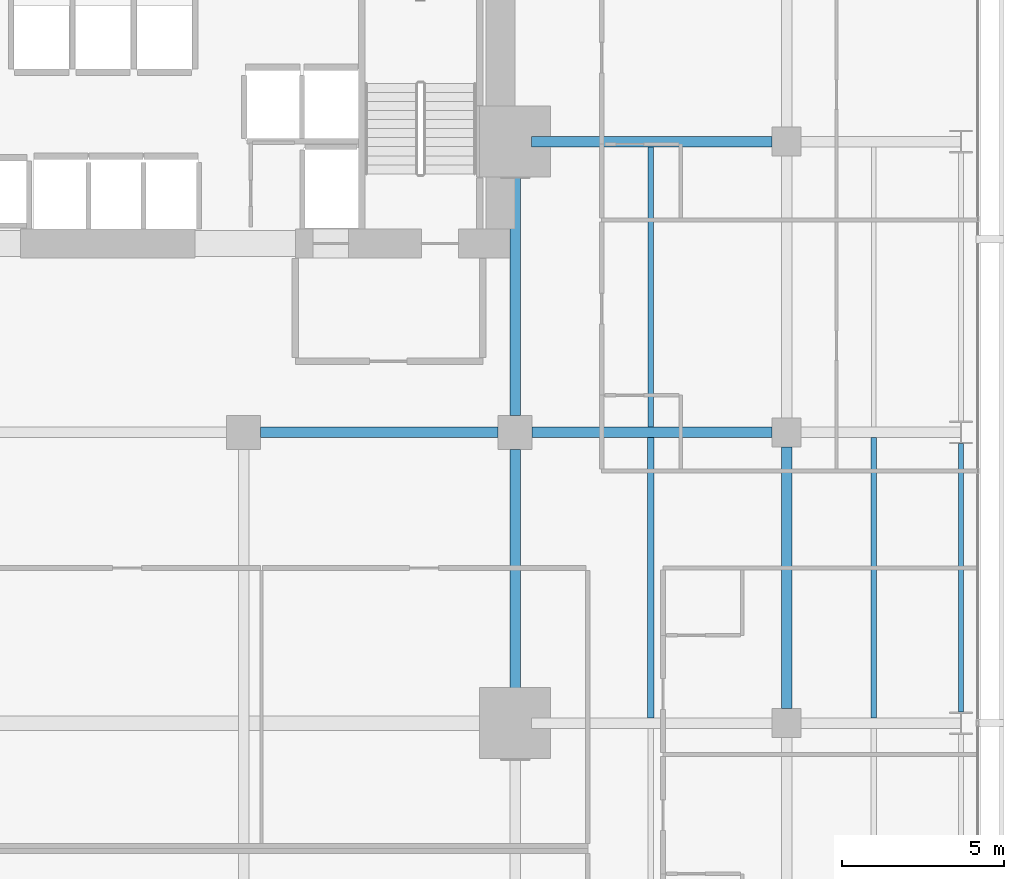
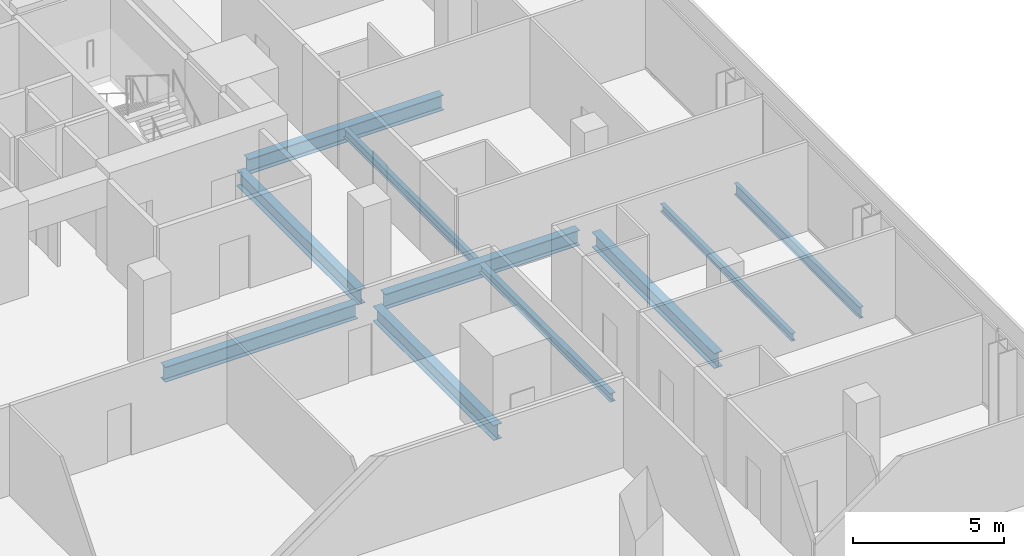
# One storey, part 27 of 40: 10 beams.
"""IFC4 building model written with IfcOpenShell, lengths in metres."""

from ifc_helpers import new_model, si_unit, direction, frame, origin, origin_2d, place, context, subcontext, project, spatial, i_section, extrude, material, material_profile, profile_set, type_object, element, save


model = new_model("IFC4")

# Units and contexts
model_context = context("Model", 3, precision=1e-05, world=origin(), true_north=direction((0.0, 1.0)))
body_context = subcontext(model_context, "Body", "Model", "MODEL_VIEW")
ifc_project = project(units=[si_unit("LENGTHUNIT", "METRE"), si_unit("AREAUNIT", "SQUARE_METRE"), si_unit("VOLUMEUNIT", "CUBIC_METRE"), si_unit("PLANEANGLEUNIT", "RADIAN"), si_unit("MASSUNIT", "GRAM", prefix="KILO")], contexts=[model_context])

# Site, building, storey
site_placement = place(None, origin())
site = spatial("IfcSite", under=ifc_project, at=site_placement, CompositionType="ELEMENT")
building_placement = place(site_placement, origin())
building = spatial("IfcBuilding", under=site, at=building_placement, Name="Maruvema Waterfront Hotel and Observation Tower", CompositionType="ELEMENT")
storey_placement = place(building_placement, frame((0.0, 0.0, 92.39990234375)))
storey = spatial("IfcBuildingStorey", under=building, at=storey_placement, Name="L22", CompositionType="ELEMENT", Elevation=92.39990234375)

# Beams
ifc_material_1 = material(Name="Steel ASTM A572 Grade 50", Category="steel")
ifc_material_profile_1 = material_profile(ifc_material_1, i_section(OverallWidth=0.153076171875, OverallDepth=0.455078125, WebThickness=0.008056640625, FlangeThickness=0.01318359375, FilletRadius=0.014892578125, at=origin_2d()), Name="W460x60.0")
ifc_profile_set_1 = profile_set([ifc_material_profile_1], Name="Steel ASTM A572 Grade 50")
beam_type_1 = type_object("IfcBeamType", Name="Perimeter Spandrel Beam W460x60.0", PredefinedType="SPANDREL", material=ifc_profile_set_1)
beam_1_placement = place(storey_placement, frame((64.199951171875, 27.35009765625, -0.46728515625), z_axis=(0.0, 1.0, 0.0), x_axis=(-1.0, 0.0, 0.0)))
element("IfcBeam", 1, at=beam_1_placement, inside=storey, type_object=beam_type_1, Name="L22 Floor Girder NS-35", PredefinedType="SPANDREL", context=body_context, shape_type="SweptSolid", body=[
    extrude(i_section(OverallWidth=0.153076171875, OverallDepth=0.455078125, WebThickness=0.008056640625, FlangeThickness=0.01318359375, FilletRadius=0.014892578125, at=origin_2d()), origin(), (0.0, 0.0, 1.0), 8.2998046875),
])
ifc_material_2 = material(Name="Steel ASTM A572 Grade 50", Category="steel")
ifc_material_profile_2 = material_profile(ifc_material_2, i_section(OverallWidth=0.323974609375, OverallDepth=0.611083984375, WebThickness=0.0126953125, FlangeThickness=0.01904296875, FilletRadius=0.01806640625, at=origin_2d()), Name="W610x155.0")
ifc_profile_set_2 = profile_set([ifc_material_profile_2], Name="Steel ASTM A572 Grade 50")
beam_type_2 = type_object("IfcBeamType", Name="Primary Floor Girder W610x155.0", PredefinedType="BEAM", material=ifc_profile_set_2)
beam_2_placement = place(storey_placement, frame((42.52490234375, 36.0, -0.54541015625), z_axis=(1.0, 0.0, 0.0), x_axis=(0.0, 1.0, 0.0)))
element("IfcBeam", 2, at=beam_2_placement, inside=storey, type_object=beam_type_2, Name="L22 Floor Girder EW-29", PredefinedType="BEAM", context=body_context, shape_type="SweptSolid", body=[
    extrude(i_section(OverallWidth=0.323974609375, OverallDepth=0.611083984375, WebThickness=0.0126953125, FlangeThickness=0.01904296875, FilletRadius=0.01806640625, at=origin_2d()), origin(), (0.0, 0.0, 1.0), 7.35009765625),
])
beam_3_placement = place(storey_placement, frame((50.925048828125, 36.0, -0.54541015625), z_axis=(1.0, 0.0, 0.0), x_axis=(0.0, 1.0, 0.0)))
element("IfcBeam", 3, at=beam_3_placement, inside=storey, type_object=beam_type_2, Name="L22 Floor Girder EW-30", PredefinedType="BEAM", context=body_context, shape_type="SweptSolid", body=[
    extrude(i_section(OverallWidth=0.323974609375, OverallDepth=0.611083984375, WebThickness=0.0126953125, FlangeThickness=0.01904296875, FilletRadius=0.01806640625, at=origin_2d()), origin(), (0.0, 0.0, 1.0), 7.425048828125),
])
beam_4_placement = place(storey_placement, frame((50.89990234375, 45.0, -0.54541015625), z_axis=(1.0, 0.0, 0.0), x_axis=(0.0, 1.0, 0.0)))
element("IfcBeam", 4, at=beam_4_placement, inside=storey, type_object=beam_type_2, Name="L22 Floor Girder EW-34", PredefinedType="BEAM", context=body_context, shape_type="SweptSolid", body=[
    extrude(i_section(OverallWidth=0.323974609375, OverallDepth=0.611083984375, WebThickness=0.0126953125, FlangeThickness=0.01904296875, FilletRadius=0.01806640625, at=origin_2d()), origin(), (0.0, 0.0, 1.0), 7.4501953125),
])
for number, where, z_axis, x_axis, name in (
    (5, (50.39990234375, 27.5, -0.54541015625), (0.0, 1.0, 0.0), (-1.0, 0.0, 0.0), "L22 Floor Girder NS-25"),
    (6, (50.39990234375, 36.52490234375, -0.54541015625), (0.0, 1.0, 0.0), (-1.0, 0.0, 0.0), "L22 Floor Girder NS-26"),
):
    element("IfcBeam", number, at=place(storey_placement, frame(where, z_axis=z_axis, x_axis=x_axis)), inside=storey, type_object=beam_type_2, Name=name, PredefinedType="BEAM", context=body_context, shape_type="SweptSolid", body=[
        extrude(i_section(OverallWidth=0.323974609375, OverallDepth=0.611083984375, WebThickness=0.0126953125, FlangeThickness=0.01904296875, FilletRadius=0.01806640625, at=origin_2d()), origin(), (0.0, 0.0, 1.0), 7.97509765625),
    ])
beam_5_placement = place(storey_placement, frame((58.800048828125, 27.449951171875, -0.54541015625), z_axis=(0.0, 1.0, 0.0), x_axis=(-1.0, 0.0, 0.0)))
element("IfcBeam", 7, at=beam_5_placement, inside=storey, type_object=beam_type_2, Name="L22 Floor Girder NS-30", PredefinedType="BEAM", context=body_context, shape_type="SweptSolid", body=[
    extrude(i_section(OverallWidth=0.323974609375, OverallDepth=0.611083984375, WebThickness=0.0126953125, FlangeThickness=0.01904296875, FilletRadius=0.01806640625, at=origin_2d()), origin(), (0.0, 0.0, 1.0), 8.10009765625),
])
ifc_material_3 = material(Name="Steel ASTM A572 Grade 50", Category="steel")
ifc_material_profile_3 = material_profile(ifc_material_3, i_section(OverallWidth=0.1650390625, OverallDepth=0.31005859375, WebThickness=0.005859375, FlangeThickness=0.009765625, FilletRadius=0.012939453125, at=origin_2d()), Name="W310x38.7")
ifc_profile_set_3 = profile_set([ifc_material_profile_3], Name="Steel ASTM A572 Grade 50")
beam_type_3 = type_object("IfcBeamType", Name="Secondary Floor Joist W310x38.7", PredefinedType="JOIST", material=ifc_profile_set_3)
beam_6_placement = place(storey_placement, frame((61.5, 27.162109375, -0.39501953125), z_axis=(0.0, 1.0, 0.0), x_axis=(-1.0, 0.0, 0.0)))
element("IfcBeam", 8, at=beam_6_placement, inside=storey, type_object=beam_type_3, Name="L22 Secondary Floor Joist JS-23", PredefinedType="JOIST", context=body_context, shape_type="SweptSolid", body=[
    extrude(i_section(OverallWidth=0.1650390625, OverallDepth=0.31005859375, WebThickness=0.005859375, FlangeThickness=0.009765625, FilletRadius=0.012939453125, at=origin_2d()), origin(), (0.0, 0.0, 1.0), 8.67578125),
])
ifc_material_4 = material(Name="Steel ASTM A572 Grade 50", Category="steel")
ifc_material_profile_4 = material_profile(ifc_material_4, i_section(OverallWidth=0.1708984375, OverallDepth=0.35498046875, WebThickness=0.007080078125, FlangeThickness=0.01171875, FilletRadius=0.014892578125, at=origin_2d()), Name="W360x51.0")
ifc_profile_set_4 = profile_set([ifc_material_profile_4], Name="Steel ASTM A572 Grade 50")
beam_type_4 = type_object("IfcBeamType", Name="Secondary Floor Joist W360x51.0", PredefinedType="JOIST", material=ifc_profile_set_4)
beam_7_placement = place(storey_placement, frame((54.60009765625, 36.162109375, -0.41748046875), z_axis=(0.0, 1.0, 0.0), x_axis=(-1.0, 0.0, 0.0)))
element("IfcBeam", 9, at=beam_7_placement, inside=storey, type_object=beam_type_4, Name="L22 Secondary Floor Joist JS-20", PredefinedType="JOIST", context=body_context, shape_type="SweptSolid", body=[
    extrude(i_section(OverallWidth=0.1708984375, OverallDepth=0.35498046875, WebThickness=0.007080078125, FlangeThickness=0.01171875, FilletRadius=0.014892578125, at=origin_2d()), origin(), (0.0, 0.0, 1.0), 8.67578125),
])
ifc_material_5 = material(Name="Steel ASTM A572 Grade 50", Category="steel")
ifc_material_profile_5 = material_profile(ifc_material_5, i_section(OverallWidth=0.202880859375, OverallDepth=0.346923828125, WebThickness=0.0078125, FlangeThickness=0.013427734375, FilletRadius=0.014892578125, at=origin_2d()), Name="W360x64.0")
ifc_profile_set_5 = profile_set([ifc_material_profile_5], Name="Steel ASTM A572 Grade 50")
beam_type_5 = type_object("IfcBeamType", Name="Secondary Floor Joist W360x64.0", PredefinedType="JOIST", material=ifc_profile_set_5)
beam_8_placement = place(storey_placement, frame((54.60009765625, 27.162109375, -0.413330078125), z_axis=(0.0, 1.0, 0.0), x_axis=(-1.0, 0.0, 0.0)))
element("IfcBeam", 10, at=beam_8_placement, inside=storey, type_object=beam_type_5, Name="L22 Secondary Floor Joist JS-19", PredefinedType="JOIST", context=body_context, shape_type="SweptSolid", body=[
    extrude(i_section(OverallWidth=0.202880859375, OverallDepth=0.346923828125, WebThickness=0.0078125, FlangeThickness=0.013427734375, FilletRadius=0.014892578125, at=origin_2d()), origin(), (0.0, 0.0, 1.0), 8.67578125),
])

save(model, "model.ifc")
